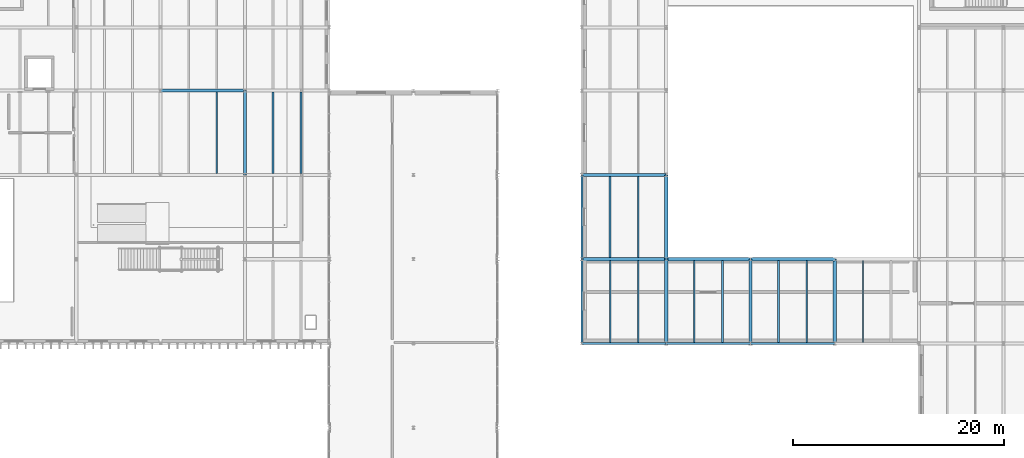
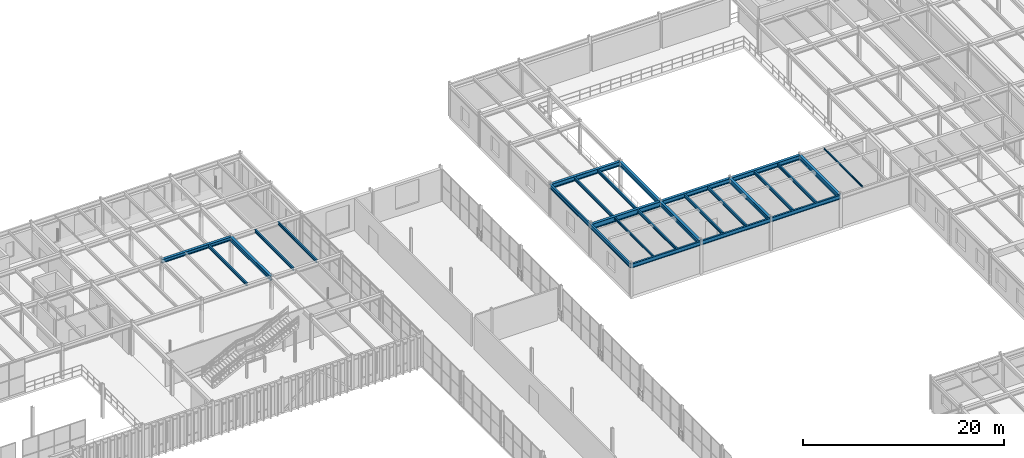
# One storey, part 58 of 122: 27 beams.
"""IFC4 building model written with IfcOpenShell, lengths in metres."""

from ifc_helpers import new_model, si_unit, direction, frame, origin, origin_2d, place, context, subcontext, project, spatial, i_section, extrude, material, material_profile, profile_set, type_object, element, save


model = new_model("IFC4")

# Units and contexts
model_context = context("Model", 3, precision=1e-05, world=origin(), true_north=direction((0.0, 1.0)))
body_context = subcontext(model_context, "Body", "Model", "MODEL_VIEW")
ifc_project = project(units=[si_unit("LENGTHUNIT", "METRE"), si_unit("AREAUNIT", "SQUARE_METRE"), si_unit("VOLUMEUNIT", "CUBIC_METRE"), si_unit("PLANEANGLEUNIT", "RADIAN"), si_unit("MASSUNIT", "GRAM", prefix="KILO")], contexts=[model_context])

# Site, building, storey
site_placement = place(None, origin())
site = spatial("IfcSite", under=ifc_project, at=site_placement, CompositionType="ELEMENT")
building_placement = place(site_placement, origin())
building = spatial("IfcBuilding", under=site, at=building_placement, Name="Sundkrona Museum", CompositionType="ELEMENT")
storey_placement = place(building_placement, frame((0.0, 0.0, 5.39990234375)))
storey = spatial("IfcBuildingStorey", under=building, at=storey_placement, Name="L01", CompositionType="ELEMENT", Elevation=5.39990234375)

# Beams
ifc_material = material(Name="Steel S355J2", Category="steel")
ifc_material_profile_1 = material_profile(ifc_material, i_section(OverallWidth=0.300048828125, OverallDepth=0.5400390625, WebThickness=0.012451171875, FlangeThickness=0.02392578125, FilletRadius=0.027099609375, at=origin_2d()), Name="HEA 550")
ifc_profile_set_1 = profile_set([ifc_material_profile_1], Name="Steel S355J2")
beam_type_1 = type_object("IfcBeamType", Name="B-HEA550", PredefinedType="BEAM", material=ifc_profile_set_1)
for number, where, z_axis, x_axis, name in (
    (1, (112.0, 86.0, 3.670166015625), (1.0, 0.0, 0.0), (0.0, 1.0, 0.0), "L01 Girder X-0901"),
    (2, (120.0, 86.0, 3.670166015625), (1.0, 0.0, 0.0), (0.0, 1.0, 0.0), "L01 Girder X-0902"),
    (3, (104.0, 94.0, 3.670166015625), (1.0, 0.0, 0.0), (0.0, 1.0, 0.0), "L01 Girder X-0916"),
    (4, (72.0, 94.0, 3.690185546875), (0.0, 1.0, 0.0), (-1.0, 0.0, 0.0), "L01 Girder Y-1006"),
    (5, (112.0, 78.0, 3.670166015625), (0.0, 1.0, 0.0), (-1.0, 0.0, 0.0), "L01 Girder Y-1037"),
    (6, (112.0, 86.0, 3.670166015625), (0.0, 1.0, 0.0), (-1.0, 0.0, 0.0), "L01 Girder Y-1038"),
    (7, (120.0, 78.0, 3.670166015625), (0.0, 1.0, 0.0), (-1.0, 0.0, 0.0), "L01 Girder Y-1048"),
    (8, (128.0, 78.0, 3.670166015625), (0.0, 1.0, 0.0), (-1.0, 0.0, 0.0), "L01 Girder Y-1053"),
):
    element("IfcBeam", number, at=place(storey_placement, frame(where, z_axis=z_axis, x_axis=x_axis)), inside=storey, type_object=beam_type_1, Name=name, PredefinedType="BEAM", context=body_context, shape_type="SweptSolid", body=[
        extrude(i_section(OverallWidth=0.300048828125, OverallDepth=0.5400390625, WebThickness=0.012451171875, FlangeThickness=0.02392578125, FilletRadius=0.027099609375, at=origin_2d()), origin(), (0.0, 0.0, 1.0), 8.0),
    ])
ifc_material_profile_2 = material_profile(ifc_material, i_section(OverallWidth=0.300048828125, OverallDepth=0.639892578125, WebThickness=0.013427734375, FlangeThickness=0.02587890625, FilletRadius=0.027099609375, at=origin_2d()), Name="HEA 650")
ifc_profile_set_2 = profile_set([ifc_material_profile_2], Name="Steel S355J2")
beam_type_2 = type_object("IfcBeamType", Name="B-HEA650", PredefinedType="BEAM", material=ifc_profile_set_2)
beam_1_placement = place(storey_placement, frame((104.0, 86.0, 3.6201171875), z_axis=(1.0, 0.0, 0.0), x_axis=(0.0, 1.0, 0.0)))
element("IfcBeam", 9, at=beam_1_placement, inside=storey, type_object=beam_type_2, Name="L01 Girder X-0900", PredefinedType="BEAM", context=body_context, shape_type="SweptSolid", body=[
    extrude(i_section(OverallWidth=0.300048828125, OverallDepth=0.639892578125, WebThickness=0.013427734375, FlangeThickness=0.02587890625, FilletRadius=0.027099609375, at=origin_2d()), origin(), (0.0, 0.0, 1.0), 8.0),
])
ifc_material_profile_3 = material_profile(ifc_material, i_section(OverallWidth=0.300048828125, OverallDepth=0.449951171875, WebThickness=0.013916015625, FlangeThickness=0.02587890625, FilletRadius=0.027099609375, at=origin_2d()), Name="HEB 450")
ifc_profile_set_3 = profile_set([ifc_material_profile_3], Name="Steel S355J2")
beam_type_3 = type_object("IfcBeamType", Name="B-HEB450", PredefinedType="BEAM", material=ifc_profile_set_3)
beam_2_placement = place(storey_placement, frame((64.0, 102.0, 3.735107421875), z_axis=(1.0, 0.0, 0.0), x_axis=(0.0, 1.0, 0.0)))
element("IfcBeam", 10, at=beam_2_placement, inside=storey, type_object=beam_type_3, Name="L01 Girder X-0927", PredefinedType="BEAM", context=body_context, shape_type="SweptSolid", body=[
    extrude(i_section(OverallWidth=0.300048828125, OverallDepth=0.449951171875, WebThickness=0.013916015625, FlangeThickness=0.02587890625, FilletRadius=0.027099609375, at=origin_2d()), origin(), (0.0, 0.0, 1.0), 8.0),
])
ifc_material_profile_4 = material_profile(ifc_material, i_section(OverallWidth=0.10009765625, OverallDepth=0.199951171875, WebThickness=0.005615234375, FlangeThickness=0.008544921875, FilletRadius=0.011962890625, at=origin_2d()), Name="IPE 200")
ifc_profile_set_4 = profile_set([ifc_material_profile_4], Name="Steel S355J2")
beam_type_4 = type_object("IfcBeamType", Name="J-IPE200", PredefinedType="JOIST", material=ifc_profile_set_4)
beam_3_placement = place(storey_placement, frame((130.666748046875, 78.093994140625, 3.840087890625), z_axis=(0.0, 1.0, 0.0), x_axis=(-1.0, 0.0, 0.0)))
element("IfcBeam", 11, at=beam_3_placement, inside=storey, type_object=beam_type_4, Name="L01 Composite Joist 0680", PredefinedType="JOIST", context=body_context, shape_type="SweptSolid", body=[
    extrude(i_section(OverallWidth=0.10009765625, OverallDepth=0.199951171875, WebThickness=0.005615234375, FlangeThickness=0.008544921875, FilletRadius=0.011962890625, at=origin_2d()), origin(), (0.0, 0.0, 1.0), 7.761962890625),
])
ifc_material_profile_5 = material_profile(ifc_material, i_section(OverallWidth=0.135009765625, OverallDepth=0.27001953125, WebThickness=0.006591796875, FlangeThickness=0.01025390625, FilletRadius=0.014892578125, at=origin_2d()), Name="IPE 270")
ifc_profile_set_5 = profile_set([ifc_material_profile_5], Name="Steel S355J2")
beam_type_5 = type_object("IfcBeamType", Name="J-IPE270", PredefinedType="JOIST", material=ifc_profile_set_5)
beam_4_placement = place(storey_placement, frame((106.666748046875, 78.093994140625, 3.80517578125), z_axis=(0.0, 1.0, 0.0), x_axis=(-1.0, 0.0, 0.0)))
element("IfcBeam", 12, at=beam_4_placement, inside=storey, type_object=beam_type_5, Name="L01 Composite Joist 0650", PredefinedType="JOIST", context=body_context, shape_type="SweptSolid", body=[
    extrude(i_section(OverallWidth=0.135009765625, OverallDepth=0.27001953125, WebThickness=0.006591796875, FlangeThickness=0.01025390625, FilletRadius=0.014892578125, at=origin_2d()), origin(), (0.0, 0.0, 1.0), 7.761962890625),
])
ifc_material_profile_6 = material_profile(ifc_material, i_section(OverallWidth=0.169921875, OverallDepth=0.360107421875, WebThickness=0.008056640625, FlangeThickness=0.0126953125, FilletRadius=0.01806640625, at=origin_2d()), Name="IPE 360")
ifc_profile_set_6 = profile_set([ifc_material_profile_6], Name="Steel S355J2")
beam_type_6 = type_object("IfcBeamType", Name="J-IPE360", PredefinedType="JOIST", material=ifc_profile_set_6)
for number, where, z_axis, x_axis, name in (
    (13, (69.333251953125, 94.14404296875, 3.780029296875), (0.0, 1.0, 0.0), (-1.0, 0.0, 0.0), "L01 Composite Joist 0618"),
    (14, (74.666748046875, 94.14404296875, 3.780029296875), (0.0, 1.0, 0.0), (-1.0, 0.0, 0.0), "L01 Composite Joist 0627"),
    (15, (77.333251953125, 94.14404296875, 3.780029296875), (0.0, 1.0, 0.0), (-1.0, 0.0, 0.0), "L01 Composite Joist 0628"),
):
    element("IfcBeam", number, at=place(storey_placement, frame(where, z_axis=z_axis, x_axis=x_axis)), inside=storey, type_object=beam_type_6, Name=name, PredefinedType="JOIST", context=body_context, shape_type="SweptSolid", body=[
        extrude(i_section(OverallWidth=0.169921875, OverallDepth=0.360107421875, WebThickness=0.008056640625, FlangeThickness=0.0126953125, FilletRadius=0.01806640625, at=origin_2d()), origin(), (0.0, 0.0, 1.0), 7.7119140625),
    ])
beam_5_placement = place(storey_placement, frame((109.333251953125, 78.093994140625, 3.760009765625), z_axis=(0.0, 1.0, 0.0), x_axis=(-1.0, 0.0, 0.0)))
element("IfcBeam", 16, at=beam_5_placement, inside=storey, type_object=beam_type_6, Name="L01 Composite Joist 0651", PredefinedType="JOIST", context=body_context, shape_type="SweptSolid", body=[
    extrude(i_section(OverallWidth=0.169921875, OverallDepth=0.360107421875, WebThickness=0.008056640625, FlangeThickness=0.0126953125, FilletRadius=0.01806640625, at=origin_2d()), origin(), (0.0, 0.0, 1.0), 7.761962890625),
])
for number, where, z_axis, x_axis, name in (
    (17, (106.666748046875, 86.14404296875, 3.760009765625), (0.0, 1.0, 0.0), (-1.0, 0.0, 0.0), "L01 Composite Joist 0652"),
    (18, (109.333251953125, 86.14404296875, 3.760009765625), (0.0, 1.0, 0.0), (-1.0, 0.0, 0.0), "L01 Composite Joist 0653"),
):
    element("IfcBeam", number, at=place(storey_placement, frame(where, z_axis=z_axis, x_axis=x_axis)), inside=storey, type_object=beam_type_6, Name=name, PredefinedType="JOIST", context=body_context, shape_type="SweptSolid", body=[
        extrude(i_section(OverallWidth=0.169921875, OverallDepth=0.360107421875, WebThickness=0.008056640625, FlangeThickness=0.0126953125, FilletRadius=0.01806640625, at=origin_2d()), origin(), (0.0, 0.0, 1.0), 7.7119140625),
    ])
for number, where, z_axis, x_axis, name in (
    (19, (114.666748046875, 78.093994140625, 3.760009765625), (0.0, 1.0, 0.0), (-1.0, 0.0, 0.0), "L01 Composite Joist 0666"),
    (20, (117.333251953125, 78.093994140625, 3.760009765625), (0.0, 1.0, 0.0), (-1.0, 0.0, 0.0), "L01 Composite Joist 0667"),
    (21, (122.666748046875, 78.093994140625, 3.760009765625), (0.0, 1.0, 0.0), (-1.0, 0.0, 0.0), "L01 Composite Joist 0672"),
    (22, (125.333251953125, 78.093994140625, 3.760009765625), (0.0, 1.0, 0.0), (-1.0, 0.0, 0.0), "L01 Composite Joist 0673"),
):
    element("IfcBeam", number, at=place(storey_placement, frame(where, z_axis=z_axis, x_axis=x_axis)), inside=storey, type_object=beam_type_6, Name=name, PredefinedType="JOIST", context=body_context, shape_type="SweptSolid", body=[
        extrude(i_section(OverallWidth=0.169921875, OverallDepth=0.360107421875, WebThickness=0.008056640625, FlangeThickness=0.0126953125, FilletRadius=0.01806640625, at=origin_2d()), origin(), (0.0, 0.0, 1.0), 7.761962890625),
    ])
ifc_material_profile_7 = material_profile(ifc_material, i_section(OverallWidth=0.199951171875, OverallDepth=0.5, WebThickness=0.01025390625, FlangeThickness=0.01611328125, FilletRadius=0.02099609375, at=origin_2d()), Name="IPE 500")
ifc_profile_set_7 = profile_set([ifc_material_profile_7], Name="Steel S355J2")
beam_type_7 = type_object("IfcBeamType", Name="SP-IPE500", PredefinedType="SPANDREL", material=ifc_profile_set_7)
for number, where, z_axis, x_axis, name in (
    (23, (104.0, 78.0, 3.690185546875), (1.0, 0.0, 0.0), (0.0, 1.0, 0.0), "L01 Girder X-0891"),
    (24, (112.0, 78.0, 3.690185546875), (1.0, 0.0, 0.0), (0.0, 1.0, 0.0), "L01 Girder X-0892"),
    (25, (120.0, 78.0, 3.690185546875), (1.0, 0.0, 0.0), (0.0, 1.0, 0.0), "L01 Girder X-0893"),
    (26, (104.0, 78.0, 3.690185546875), (0.0, 1.0, 0.0), (-1.0, 0.0, 0.0), "L01 Girder Y-1027"),
    (27, (104.0, 86.0, 3.690185546875), (0.0, 1.0, 0.0), (-1.0, 0.0, 0.0), "L01 Girder Y-1028"),
):
    element("IfcBeam", number, at=place(storey_placement, frame(where, z_axis=z_axis, x_axis=x_axis)), inside=storey, type_object=beam_type_7, Name=name, PredefinedType="SPANDREL", context=body_context, shape_type="SweptSolid", body=[
        extrude(i_section(OverallWidth=0.199951171875, OverallDepth=0.5, WebThickness=0.01025390625, FlangeThickness=0.01611328125, FilletRadius=0.02099609375, at=origin_2d()), origin(), (0.0, 0.0, 1.0), 8.0),
    ])

save(model, "model.ifc")
